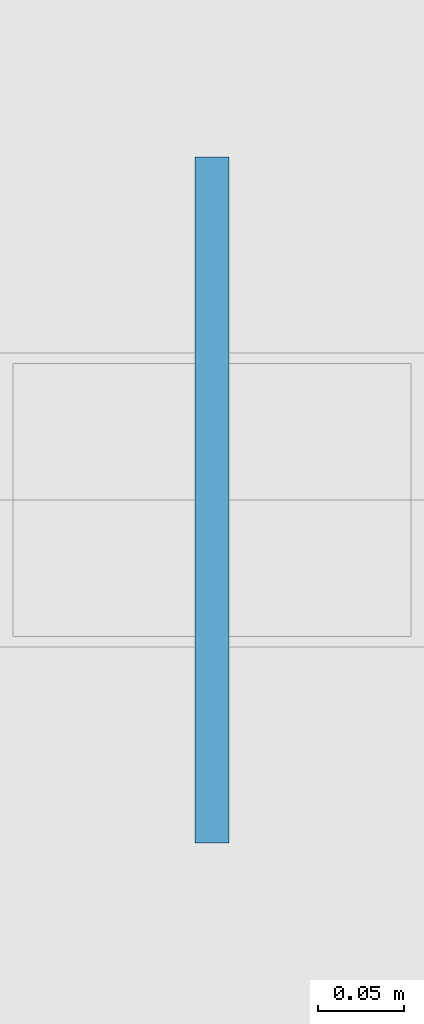
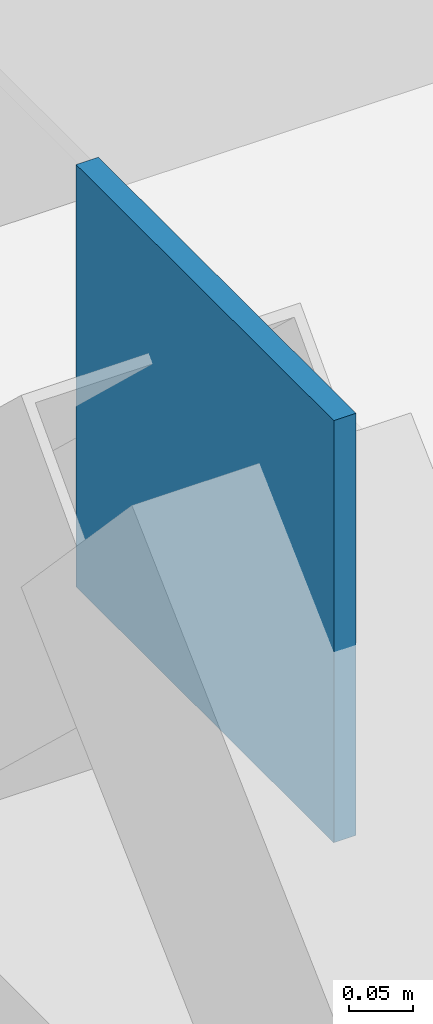
# One storey, part 64 of 130: 1 plate.
"""IFC4 building model written with IfcOpenShell, lengths in metres."""

from ifc_helpers import new_model, si_unit, direction, frame, origin, origin_2d, place, context, subcontext, project, spatial, rectangle, extrude, material, layer, layer_set, type_object, element, save


model = new_model("IFC4")

# Units and contexts
model_context = context("Model", 3, precision=1e-05, world=origin(), true_north=direction((0.0, 1.0)))
body_context = subcontext(model_context, "Body", "Model", "MODEL_VIEW")
ifc_project = project(units=[si_unit("LENGTHUNIT", "METRE"), si_unit("AREAUNIT", "SQUARE_METRE"), si_unit("VOLUMEUNIT", "CUBIC_METRE"), si_unit("PLANEANGLEUNIT", "RADIAN"), si_unit("MASSUNIT", "GRAM", prefix="KILO"), si_unit("THERMODYNAMICTEMPERATUREUNIT", "KELVIN"), si_unit("POWERUNIT", "WATT")], contexts=[model_context])

# Site, building, storey
site_placement = place(None, origin())
site = spatial("IfcSite", under=ifc_project, at=site_placement, CompositionType="ELEMENT")
building_placement = place(site_placement, origin())
building = spatial("IfcBuilding", under=site, at=building_placement, Name="Tallowbark Science Centre", CompositionType="ELEMENT")
storey_placement = place(building_placement, frame((0.0, 0.0, 5.39990234375)))
storey = spatial("IfcBuildingStorey", under=building, at=storey_placement, Name="L01", CompositionType="ELEMENT", Elevation=5.39990234375)

# Plate
ifc_material = material(Name="Structural Steel Grade 300PLUS (300 MPa)", Category="steel")
ifc_layer = layer(ifc_material, 0.02001953125)
ifc_layer_set = layer_set([ifc_layer], Name="Structural Steel Grade 300PLUS (300 MPa)")
plate_type = type_object("IfcPlateType", Name="PLT-GUS-20", PredefinedType="SHEET", material=ifc_layer_set)
plate_placement = place(storey_placement, frame((55.199951171875, 76.5, 4.050048828125), z_axis=(0.0, 0.0, 1.0), x_axis=(0.0, 1.0, 0.0)))
element("IfcPlate", 1, at=plate_placement, inside=storey, type_object=plate_type, Name="Chevron Brace Apex Gusset CBF-LAB-W1A L01", PredefinedType="SHEET", context=body_context, shape_type="SweptSolid", body=[
    extrude(rectangle(XDim=0.39990234375, YDim=0.02001953125, at=origin_2d()), origin(), (0.0, 0.0, 1.0), 0.39990234375),
])

save(model, "model.ifc")
